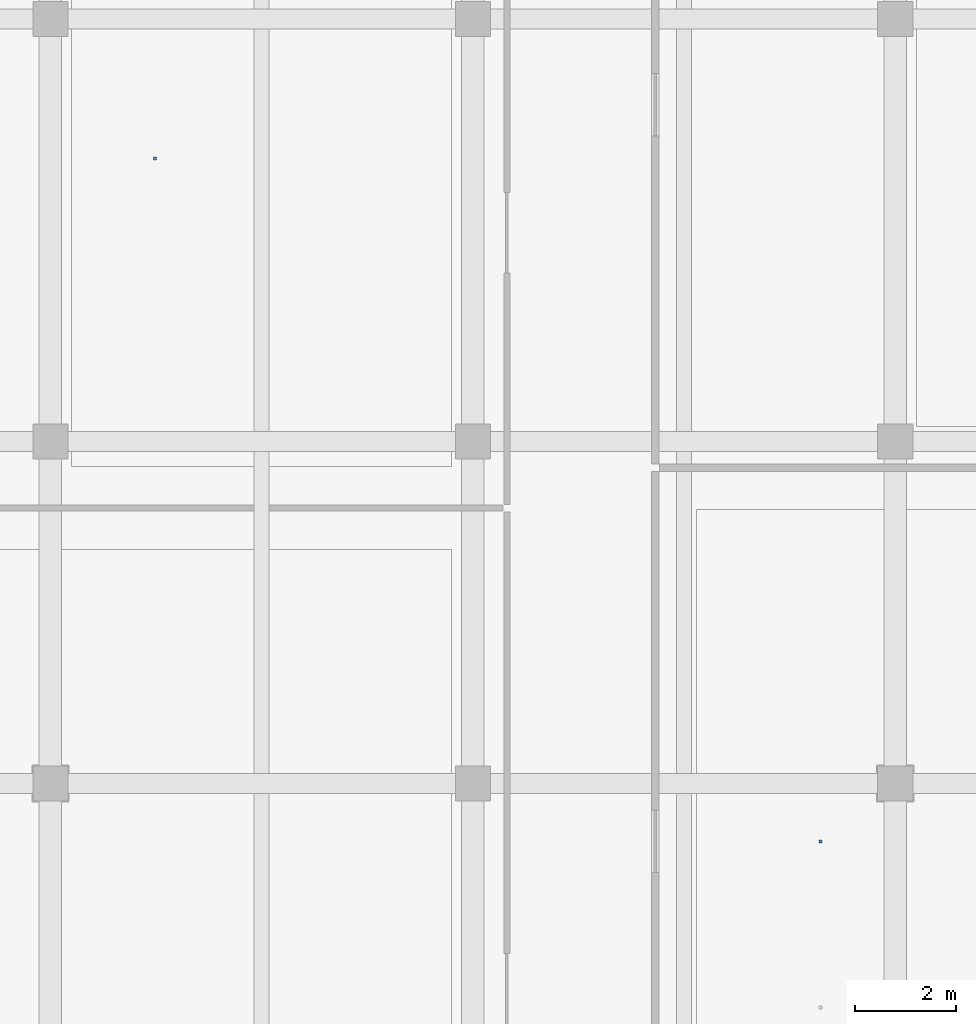
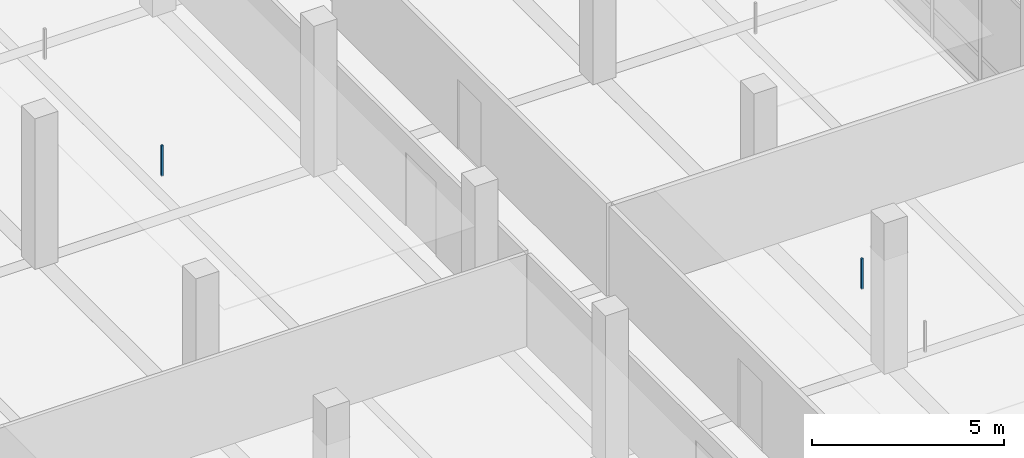
# One storey, part 74 of 128: 2 discrete accessories.
"""IFC4 building model written with IfcOpenShell, lengths in metres."""

from ifc_helpers import new_model, si_unit, direction, frame, origin, origin_2d, place, context, subcontext, project, spatial, rectangle, extrude, material, type_object, element, save


model = new_model("IFC4")

# Units and contexts
model_context = context("Model", 3, precision=1e-05, world=origin(), true_north=direction((0.0, 1.0)))
body_context = subcontext(model_context, "Body", "Model", "MODEL_VIEW")
ifc_project = project(units=[si_unit("LENGTHUNIT", "METRE"), si_unit("AREAUNIT", "SQUARE_METRE"), si_unit("VOLUMEUNIT", "CUBIC_METRE"), si_unit("PLANEANGLEUNIT", "RADIAN"), si_unit("MASSUNIT", "GRAM", prefix="KILO")], contexts=[model_context])

# Site, building, storey
site_placement = place(None, origin())
site = spatial("IfcSite", under=ifc_project, at=site_placement, CompositionType="ELEMENT")
building_placement = place(site_placement, origin())
building = spatial("IfcBuilding", under=site, at=building_placement, Name="Telukmera Botanical Conservatory", CompositionType="ELEMENT")
storey_placement = place(building_placement, frame((0.0, 0.0, 5.39990234375)))
storey = spatial("IfcBuildingStorey", under=building, at=storey_placement, Name="L01", CompositionType="ELEMENT", Elevation=5.39990234375)

# Discrete accessories
ifc_material = material(Name="Steel S355", Category="steel")
discrete_accessory_type = type_object("IfcDiscreteAccessoryType", Name="ACC-CEIL-HGR", PredefinedType="BRACKET", material=ifc_material)
for number, where, z_axis, x_axis, name in (
    (1, (18.88330078125, 55.22509765625, 3.6201171875), (0.0, 0.0, 1.0), (1.0, 0.0, 0.0), "L01 Suspended Ceiling Hanger Rod 011-1"),
    (2, (32.114013671875, 41.64990234375, 3.6201171875), (0.0, 0.0, 1.0), (1.0, 0.0, 0.0), "L01 Suspended Ceiling Hanger Rod 013-2"),
):
    element("IfcDiscreteAccessory", number, at=place(storey_placement, frame(where, z_axis=z_axis, x_axis=x_axis)), inside=storey, type_object=discrete_accessory_type, Name=name, PredefinedType="BRACKET", context=body_context, shape_type="SweptSolid", body=[
        extrude(rectangle(XDim=0.06005859375, YDim=0.06005859375, at=origin_2d()), origin(), (0.0, 0.0, 1.0), 0.965087890625),
    ])

save(model, "model.ifc")
